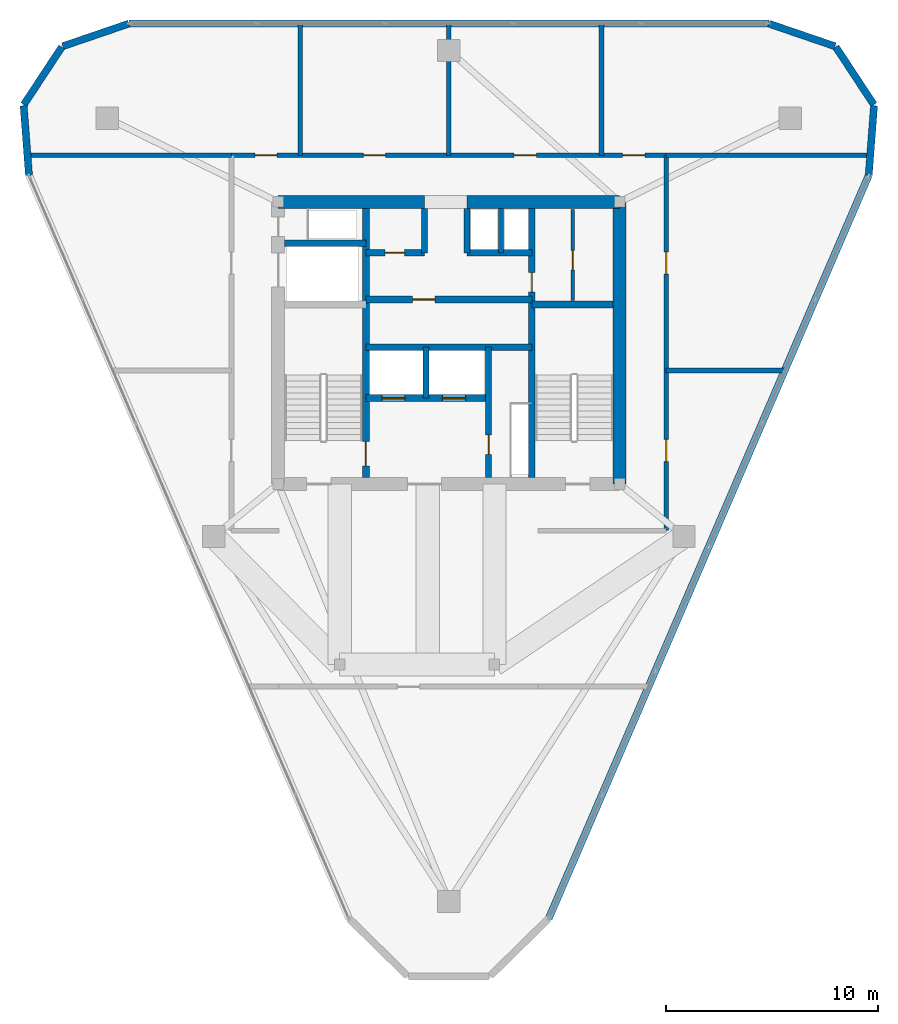
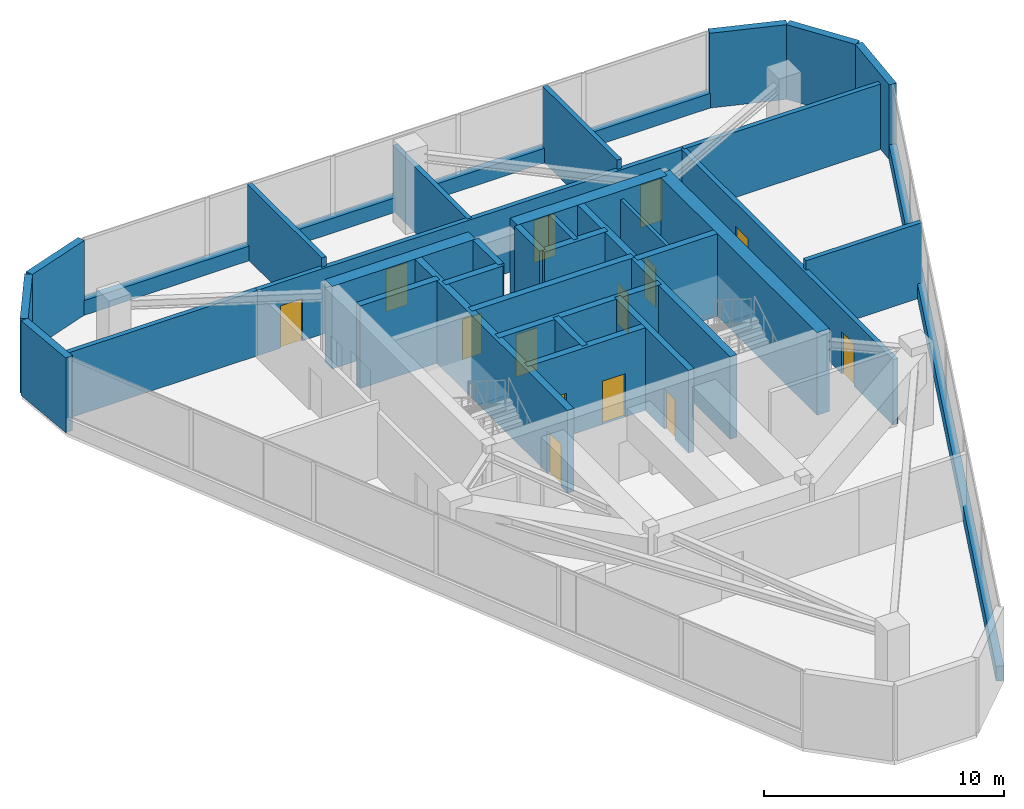
# One storey, part 5 of 7: 34 walls, 14 doors, 14 openings.
"""IFC4 building model written with IfcOpenShell, lengths in metres."""

from ifc_helpers import new_model, si_unit, direction, frame, frame_2d, origin, place, context, subcontext, project, spatial, rectangle, extrude, material, layer, layer_set, type_object, element, fill, save


model = new_model("IFC4")

# Units and contexts
model_context = context("Model", 3, precision=1e-05, world=origin(), true_north=direction((0.0, 1.0)))
body_context = subcontext(model_context, "Body", "Model", "MODEL_VIEW")
ifc_project = project(units=[si_unit("LENGTHUNIT", "METRE"), si_unit("AREAUNIT", "SQUARE_METRE"), si_unit("VOLUMEUNIT", "CUBIC_METRE"), si_unit("PLANEANGLEUNIT", "RADIAN"), si_unit("MASSUNIT", "GRAM", prefix="KILO")], contexts=[model_context])

# Site, building, storey
site_placement = place(None, origin())
site = spatial("IfcSite", under=ifc_project, at=site_placement, CompositionType="ELEMENT")
building_placement = place(site_placement, origin())
building = spatial("IfcBuilding", under=site, at=building_placement, Name="Talyreon Biosciences Tower", CompositionType="ELEMENT")
storey_placement = place(building_placement, frame((0.0, 0.0, 313.0)))
storey = spatial("IfcBuildingStorey", under=building, at=storey_placement, Name="L83", CompositionType="ELEMENT", Elevation=313.0)

# Walls
ifc_material_1 = material(Name="Concrete C50/60", Category="concrete")
ifc_layer_1 = layer(ifc_material_1, 0.219970703125)
ifc_layer_set_1 = layer_set([ifc_layer_1], Name="Concrete C50/60")
wall_type_1 = type_object("IfcWallType", Name="CoreShearWall_220", PredefinedType="SHEAR", material=ifc_layer_set_1)
wall_1_placement = place(storey_placement, frame((68.4599609375, 72.25, 0.0), z_axis=(0.0, 0.0, 1.0), x_axis=(0.0, 1.0, 0.0)))
element("IfcWall", 1, at=wall_1_placement, inside=storey, type_object=wall_type_1, Name="L83 Core Shaft Wall SWPHD", PredefinedType="SHEAR", context=body_context, shape_type="SweptSolid", body=[
    extrude(rectangle(XDim=2.10009765625, YDim=0.219970703125, at=frame_2d((1.050048828125, 0.0))), origin(), (0.0, 0.0, 1.0), 4.199951171875),
])
ifc_layer_2 = layer(ifc_material_1, 0.280029296875)
ifc_layer_set_2 = layer_set([ifc_layer_2], Name="Concrete C50/60")
wall_type_2 = type_object("IfcWallType", Name="CoreShearWall_280", PredefinedType="SHEAR", material=ifc_layer_set_2)
wall_2_placement = place(storey_placement, frame((64.919921875, 65.39990234375, 0.0), z_axis=(0.0, 0.0, 1.0), x_axis=(0.0, 1.0, 0.0)))
element("IfcWall", 2, at=wall_2_placement, inside=storey, type_object=wall_type_2, Name="L83 Core Shaft Wall SWSHD1", PredefinedType="SHEAR", context=body_context, shape_type="SweptSolid", body=[
    extrude(rectangle(XDim=2.400146484375, YDim=0.280029296875, at=frame_2d((1.2001953125, 0.0))), origin(), (0.0, 0.0, 1.0), 4.199951171875),
])
for number, where, z_axis, x_axis, name in (
    (3, (64.85009765625, 72.25, 0.0), (0.0, 0.0, 1.0), (0.0, 1.0, 0.0), "L83 Core Shaft Wall SWTHW"),
    (4, (66.85009765625, 72.25, 0.0), (0.0, 0.0, 1.0), (0.0, 1.0, 0.0), "L83 Core Shaft Wall SWTHE"),
):
    element("IfcWall", number, at=place(storey_placement, frame(where, z_axis=z_axis, x_axis=x_axis)), inside=storey, type_object=wall_type_2, Name=name, PredefinedType="SHEAR", context=body_context, shape_type="SweptSolid", body=[
        extrude(rectangle(XDim=2.10009765625, YDim=0.280029296875, at=frame_2d((1.050048828125, 0.0))), origin(), (0.0, 0.0, 1.0), 4.199951171875),
    ])

# Wall, opening, door
wall_3_placement = place(storey_placement, frame((67.8798828125, 61.64990234375, 0.0), z_axis=(0.0, 0.0, 1.0), x_axis=(0.0, 1.0, 0.0)))
wall_3 = element("IfcWall", 5, at=wall_3_placement, inside=storey, type_object=wall_type_2, Name="L83 Core Shaft Wall SWFFE", PredefinedType="SHEAR", context=body_context, shape_type="SweptSolid", body=[
    extrude(rectangle(XDim=6.150146484375, YDim=0.280029296875, at=frame_2d((3.0751953125, 0.0))), origin(), (0.0, 0.0, 1.0), 4.199951171875),
])
opening_1_placement = place(wall_3_placement, frame((1.10009765625, 0.0, 0.0)))
opening_1 = element("IfcOpeningElement", 6, at=opening_1_placement, cuts=wall_3, Name="Opening DR-L83-RSE", PredefinedType="OPENING", context=body_context, shape_type="SweptSolid", body=[
    extrude(rectangle(XDim=0.919921875, YDim=2.050048828125, at=frame_2d((0.4599609375, 1.02490234375))), frame((0.0, 0.14990234375, 0.0), z_axis=(0.0, -1.0, 0.0), x_axis=(1.0, 0.0, 0.0)), (0.0, 0.0, 1.0), 0.300048828125),
])
ifc_material_2 = material(Name="Painted steel fire-rated riser door", Category="steel")
door_type_1 = type_object("IfcDoorType", Name="RiserPlantAccessDoor_920x2050", OperationType="NOTDEFINED", PredefinedType="DOOR", material=ifc_material_2)
door_1_placement = place(opening_1_placement, origin())
door_1 = element("IfcDoor", 7, at=door_1_placement, inside=storey, type_object=door_type_1, Name="L83 Core Door DR-L83-RSE", OperationType="SINGLE_SWING_RIGHT", OverallHeight=2.050048828125, OverallWidth=0.919921875, PredefinedType="DOOR", context=body_context, shape_type="SweptSolid", body=[
    extrude(rectangle(XDim=0.919921875, YDim=2.050048828125, at=frame_2d((0.4599609375, 1.02490234375))), frame((0.0, 0.02490234375, 0.0), z_axis=(0.0, -1.0, 0.0), x_axis=(1.0, 0.0, 0.0)), (0.0, 0.0, 1.0), 0.050048828125),
])
fill(opening_1, door_1)

ifc_layer_3 = layer(ifc_material_1, 0.320068359375)
ifc_layer_set_3 = layer_set([ifc_layer_3], Name="Concrete C50/60")
wall_type_3 = type_object("IfcWallType", Name="CoreShearWall_320", PredefinedType="SHEAR", material=ifc_layer_set_3)
wall_4_placement = place(storey_placement, frame((62.090087890625, 61.64990234375, 0.0), z_axis=(0.0, 0.0, 1.0), x_axis=(0.0, 1.0, 0.0)))
wall_4 = element("IfcWall", 8, at=wall_4_placement, inside=storey, type_object=wall_type_3, Name="L83 Core Shaft Wall SW1E", PredefinedType="SHEAR", context=body_context, shape_type="SweptSolid", body=[
    extrude(rectangle(XDim=12.7001953125, YDim=0.320068359375, at=frame_2d((6.35009765625, 0.0))), origin(), (0.0, 0.0, 1.0), 4.199951171875),
])
opening_2_placement = place(wall_4_placement, frame((0.550048828125, 0.0, 0.0)))
opening_2 = element("IfcOpeningElement", 9, at=opening_2_placement, cuts=wall_4, Name="Opening DR-L83-FF-ST1", PredefinedType="OPENING", context=body_context, shape_type="SweptSolid", body=[
    extrude(rectangle(XDim=1.14990234375, YDim=2.14990234375, at=frame_2d((0.574951171875, 1.074951171875))), frame((0.0, 0.169921875, 0.0), z_axis=(0.0, -1.0, 0.0), x_axis=(1.0, 0.0, 0.0)), (0.0, 0.0, 1.0), 0.340087890625),
])
ifc_material_3 = material(Name="Painted steel fire door", Category="steel")
door_type_2 = type_object("IfcDoorType", Name="StairShaftFireDoor_1150x2150", OperationType="NOTDEFINED", PredefinedType="DOOR", material=ifc_material_3)
door_2_placement = place(opening_2_placement, origin())
door_2 = element("IfcDoor", 10, at=door_2_placement, inside=storey, type_object=door_type_2, Name="L83 Core Door DR-L83-FF-ST1", OperationType="SINGLE_SWING_LEFT", OverallHeight=2.14990234375, OverallWidth=1.14990234375, PredefinedType="DOOR", context=body_context, shape_type="SweptSolid", body=[
    extrude(rectangle(XDim=1.14990234375, YDim=2.14990234375, at=frame_2d((0.574951171875, 1.074951171875))), frame((0.0, 0.02490234375, 0.0), z_axis=(0.0, -1.0, 0.0), x_axis=(1.0, 0.0, 0.0)), (0.0, 0.0, 1.0), 0.050048828125),
])
fill(opening_2, door_2)

wall_5_placement = place(storey_placement, frame((69.909912109375, 61.64990234375, 0.0), z_axis=(0.0, 0.0, 1.0), x_axis=(0.0, 1.0, 0.0)))
wall_5 = element("IfcWall", 11, at=wall_5_placement, inside=storey, type_object=wall_type_3, Name="L83 Core Shaft Wall SW2W", PredefinedType="SHEAR", context=body_context, shape_type="SweptSolid", body=[
    extrude(rectangle(XDim=12.7001953125, YDim=0.320068359375, at=frame_2d((6.35009765625, 0.0))), origin(), (0.0, 0.0, 1.0), 4.199951171875),
])
opening_3_placement = place(wall_5_placement, frame((8.75, 0.0, 0.0)))
opening_3 = element("IfcOpeningElement", 12, at=opening_3_placement, cuts=wall_5, Name="Opening DR-L83-CSRV", PredefinedType="OPENING", context=body_context, shape_type="SweptSolid", body=[
    extrude(rectangle(XDim=0.919921875, YDim=2.050048828125, at=frame_2d((0.4599609375, 1.02490234375))), frame((0.0, 0.169921875, 0.0), z_axis=(0.0, -1.0, 0.0), x_axis=(1.0, 0.0, 0.0)), (0.0, 0.0, 1.0), 0.340087890625),
])
door_3_placement = place(opening_3_placement, origin())
door_3 = element("IfcDoor", 13, at=door_3_placement, inside=storey, type_object=door_type_1, Name="L83 Core Door DR-L83-CSRV", OperationType="SINGLE_SWING_RIGHT", OverallHeight=2.050048828125, OverallWidth=0.919921875, PredefinedType="DOOR", context=body_context, shape_type="SweptSolid", body=[
    extrude(rectangle(XDim=0.919921875, YDim=2.050048828125, at=frame_2d((0.4599609375, 1.02490234375))), frame((0.0, 0.02490234375, 0.0), z_axis=(0.0, -1.0, 0.0), x_axis=(1.0, 0.0, 0.0)), (0.0, 0.0, 1.0), 0.050048828125),
])
fill(opening_3, door_3)

# Walls
for number, where, z_axis, x_axis, name in (
    (14, (69.909912109375, 69.81005859375, 0.0), (0.0, 0.0, 1.0), (1.0, 0.0, 0.0), "L83 Core Shaft Wall SW2N"),
    (15, (58.25, 72.699951171875, 0.0), (0.0, 0.0, 1.0), (1.0, 0.0, 0.0), "L83 Core Shaft Wall SWGLN"),
):
    element("IfcWall", number, at=place(storey_placement, frame(where, z_axis=z_axis, x_axis=x_axis)), inside=storey, type_object=wall_type_3, Name=name, PredefinedType="SHEAR", context=body_context, shape_type="SweptSolid", body=[
        extrude(rectangle(XDim=3.840087890625, YDim=0.320068359375, at=frame_2d((1.919921875, 0.0))), origin(), (0.0, 0.0, 1.0), 4.199951171875),
    ])
wall_6_placement = place(storey_placement, frame((62.090087890625, 67.800048828125, 0.0), z_axis=(0.0, 0.0, 1.0), x_axis=(1.0, 0.0, 0.0)))
element("IfcWall", 16, at=wall_6_placement, inside=storey, type_object=wall_type_3, Name="L83 Core Shaft Wall SWSHM", PredefinedType="SHEAR", context=body_context, shape_type="SweptSolid", body=[
    extrude(rectangle(XDim=7.81982421875, YDim=0.320068359375, at=frame_2d((3.909912109375, 0.0))), origin(), (0.0, 0.0, 1.0), 4.199951171875),
])

# Wall, opening, door
wall_7_placement = place(storey_placement, frame((62.090087890625, 70.050048828125, 0.0), z_axis=(0.0, 0.0, 1.0), x_axis=(1.0, 0.0, 0.0)))
wall_7 = element("IfcWall", 17, at=wall_7_placement, inside=storey, type_object=wall_type_3, Name="L83 Core Shaft Wall SWSPN", PredefinedType="SHEAR", context=body_context, shape_type="SweptSolid", body=[
    extrude(rectangle(XDim=7.81982421875, YDim=0.320068359375, at=frame_2d((3.909912109375, 0.0))), origin(), (0.0, 0.0, 1.0), 4.199951171875),
])
opening_4_placement = place(wall_7_placement, frame((2.199951171875, 0.0, 0.0)))
opening_4 = element("IfcOpeningElement", 18, at=opening_4_placement, cuts=wall_7, Name="Opening DR-L83-PLPMFREE", PredefinedType="OPENING", context=body_context, shape_type="SweptSolid", body=[
    extrude(rectangle(XDim=1.050048828125, YDim=2.14990234375, at=frame_2d((0.52490234375, 1.074951171875))), frame((0.0, 0.169921875, 0.0), z_axis=(0.0, -1.0, 0.0), x_axis=(1.0, 0.0, 0.0)), (0.0, 0.0, 1.0), 0.340087890625),
])
ifc_material_4 = material(Name="Acoustic timber-core laboratory door", Category="wood")
door_type_3 = type_object("IfcDoorType", Name="DryLabSingleDoor_1050x2150", OperationType="NOTDEFINED", PredefinedType="DOOR", material=ifc_material_4)
door_4_placement = place(opening_4_placement, origin())
door_4 = element("IfcDoor", 19, at=door_4_placement, inside=storey, type_object=door_type_3, Name="L83 Core Door DR-L83-PLPMFREE", OperationType="SINGLE_SWING_LEFT", OverallHeight=2.14990234375, OverallWidth=1.050048828125, PredefinedType="DOOR", context=body_context, shape_type="SweptSolid", body=[
    extrude(rectangle(XDim=1.050048828125, YDim=2.14990234375, at=frame_2d((0.52490234375, 1.074951171875))), frame((0.0, 0.02490234375, 0.0), z_axis=(0.0, -1.0, 0.0), x_axis=(1.0, 0.0, 0.0)), (0.0, 0.0, 1.0), 0.050048828125),
])
fill(opening_4, door_4)

wall_8_placement = place(storey_placement, frame((62.090087890625, 72.25, 0.0), z_axis=(0.0, 0.0, 1.0), x_axis=(1.0, 0.0, 0.0)))
wall_8 = element("IfcWall", 20, at=wall_8_placement, inside=storey, type_object=wall_type_3, Name="L83 Core Shaft Wall SWNPW", PredefinedType="SHEAR", context=body_context, shape_type="SweptSolid", body=[
    extrude(rectangle(XDim=2.760009765625, YDim=0.320068359375, at=frame_2d((1.3798828125, 0.0))), origin(), (0.0, 0.0, 1.0), 4.199951171875),
])
opening_5_placement = place(wall_8_placement, frame((0.89990234375, 0.0, 0.0)))
opening_5 = element("IfcOpeningElement", 21, at=opening_5_placement, cuts=wall_8, Name="Opening DR-L83-PM2FREE", PredefinedType="OPENING", context=body_context, shape_type="SweptSolid", body=[
    extrude(rectangle(XDim=0.919921875, YDim=2.050048828125, at=frame_2d((0.4599609375, 1.02490234375))), frame((0.0, 0.169921875, 0.0), z_axis=(0.0, -1.0, 0.0), x_axis=(1.0, 0.0, 0.0)), (0.0, 0.0, 1.0), 0.340087890625),
])
door_5_placement = place(opening_5_placement, origin())
door_5 = element("IfcDoor", 22, at=door_5_placement, inside=storey, type_object=door_type_1, Name="L83 Core Door DR-L83-PM2FREE", OperationType="SINGLE_SWING_RIGHT", OverallHeight=2.050048828125, OverallWidth=0.919921875, PredefinedType="DOOR", context=body_context, shape_type="SweptSolid", body=[
    extrude(rectangle(XDim=0.919921875, YDim=2.050048828125, at=frame_2d((0.4599609375, 1.02490234375))), frame((0.0, 0.02490234375, 0.0), z_axis=(0.0, -1.0, 0.0), x_axis=(1.0, 0.0, 0.0)), (0.0, 0.0, 1.0), 0.050048828125),
])
fill(opening_5, door_5)

# Wall
wall_9_placement = place(storey_placement, frame((66.85009765625, 72.25, 0.0), z_axis=(0.0, 0.0, 1.0), x_axis=(1.0, 0.0, 0.0)))
element("IfcWall", 23, at=wall_9_placement, inside=storey, type_object=wall_type_3, Name="L83 Core Shaft Wall SWNPE", PredefinedType="SHEAR", context=body_context, shape_type="SweptSolid", body=[
    extrude(rectangle(XDim=3.059814453125, YDim=0.320068359375, at=frame_2d((1.52978515625, 0.0))), origin(), (0.0, 0.0, 1.0), 4.199951171875),
])

# Wall, openings, doors
wall_10_placement = place(storey_placement, frame((62.090087890625, 65.39990234375, 0.0), z_axis=(0.0, 0.0, 1.0), x_axis=(1.0, 0.0, 0.0)))
wall_10 = element("IfcWall", 24, at=wall_10_placement, inside=storey, type_object=wall_type_3, Name="L83 Core Shaft Wall SWFFN", PredefinedType="SHEAR", context=body_context, shape_type="SweptSolid", body=[
    extrude(rectangle(XDim=5.789794921875, YDim=0.320068359375, at=frame_2d((2.89501953125, 0.0))), origin(), (0.0, 0.0, 1.0), 4.199951171875),
])
opening_6_placement = place(wall_10_placement, frame((0.75, 0.0, 0.0)))
opening_6 = element("IfcOpeningElement", 25, at=opening_6_placement, cuts=wall_10, Name="Opening LD-L83-FL1", PredefinedType="OPENING", context=body_context, shape_type="SweptSolid", body=[
    extrude(rectangle(XDim=1.10009765625, YDim=2.199951171875, at=frame_2d((0.550048828125, 1.10009765625))), frame((0.0, 0.169921875, 0.0), z_axis=(0.0, -1.0, 0.0), x_axis=(1.0, 0.0, 0.0)), (0.0, 0.0, 1.0), 0.340087890625),
])
opening_7_placement = place(wall_10_placement, frame((3.60009765625, 0.0, 0.0)))
opening_7 = element("IfcOpeningElement", 26, at=opening_7_placement, cuts=wall_10, Name="Opening LD-L83-FL2", PredefinedType="OPENING", context=body_context, shape_type="SweptSolid", body=[
    extrude(rectangle(XDim=1.10009765625, YDim=2.199951171875, at=frame_2d((0.550048828125, 1.10009765625))), frame((0.0, 0.169921875, 0.0), z_axis=(0.0, -1.0, 0.0), x_axis=(1.0, 0.0, 0.0)), (0.0, 0.0, 1.0), 0.340087890625),
])
ifc_material_5 = material(Name="Brushed stainless-steel lift landing door", Category="steel")
door_type_4 = type_object("IfcDoorType", Name="LiftSlidingLandingDoor_1100x2200", OperationType="SLIDING_TO_LEFT", PredefinedType="DOOR", material=ifc_material_5)
door_6_placement = place(opening_6_placement, origin())
door_6 = element("IfcDoor", 27, at=door_6_placement, inside=storey, type_object=door_type_4, Name="L83 Core Door LD-L83-FL1", OperationType="SLIDING_TO_LEFT", OverallHeight=2.199951171875, OverallWidth=1.10009765625, PredefinedType="DOOR", context=body_context, shape_type="SweptSolid", body=[
    extrude(rectangle(XDim=1.10009765625, YDim=2.199951171875, at=frame_2d((0.550048828125, 1.10009765625))), frame((0.0, 0.02490234375, 0.0), z_axis=(0.0, -1.0, 0.0), x_axis=(1.0, 0.0, 0.0)), (0.0, 0.0, 1.0), 0.050048828125),
])
fill(opening_6, door_6)
door_7_placement = place(opening_7_placement, origin())
door_7 = element("IfcDoor", 28, at=door_7_placement, inside=storey, type_object=door_type_4, Name="L83 Core Door LD-L83-FL2", OperationType="SLIDING_TO_LEFT", OverallHeight=2.199951171875, OverallWidth=1.10009765625, PredefinedType="DOOR", context=body_context, shape_type="SweptSolid", body=[
    extrude(rectangle(XDim=1.10009765625, YDim=2.199951171875, at=frame_2d((0.550048828125, 1.10009765625))), frame((0.0, 0.02490234375, 0.0), z_axis=(0.0, -1.0, 0.0), x_axis=(1.0, 0.0, 0.0)), (0.0, 0.0, 1.0), 0.050048828125),
])
fill(opening_7, door_7)

# Walls
ifc_layer_4 = layer(ifc_material_1, 0.60009765625)
ifc_layer_set_4 = layer_set([ifc_layer_4], Name="Concrete C50/60")
wall_type_4 = type_object("IfcWallType", Name="CoreShearWall_600", PredefinedType="SHEAR", material=ifc_layer_set_4)
wall_11_placement = place(storey_placement, frame((74.050048828125, 61.35009765625, 0.0), z_axis=(0.0, 0.0, 1.0), x_axis=(0.0, 1.0, 0.0)))
element("IfcWall", 29, at=wall_11_placement, inside=storey, type_object=wall_type_4, Name="L83 Core Shear Wall E", PredefinedType="SHEAR", context=body_context, shape_type="SweptSolid", body=[
    extrude(rectangle(XDim=13.2998046875, YDim=0.60009765625, at=frame_2d((6.64990234375, 0.0))), origin(), (0.0, 0.0, 1.0), 4.199951171875),
])
wall_12_placement = place(storey_placement, frame((74.050048828125, 74.64990234375, 0.0), z_axis=(0.0, 0.0, 1.0), x_axis=(-1.0, 0.0, 0.0)))
element("IfcWall", 30, at=wall_12_placement, inside=storey, type_object=wall_type_4, Name="L83 Core Shear Wall NE", PredefinedType="SHEAR", context=body_context, shape_type="SweptSolid", body=[
    extrude(rectangle(XDim=7.199951171875, YDim=0.60009765625, at=frame_2d((3.60009765625, 0.0))), origin(), (0.0, 0.0, 1.0), 4.199951171875),
])
wall_13_placement = place(storey_placement, frame((64.85009765625, 74.64990234375, 0.0), z_axis=(0.0, 0.0, 1.0), x_axis=(-1.0, 0.0, 0.0)))
element("IfcWall", 31, at=wall_13_placement, inside=storey, type_object=wall_type_4, Name="L83 Core Shear Wall NW", PredefinedType="SHEAR", context=body_context, shape_type="SweptSolid", body=[
    extrude(rectangle(XDim=6.900146484375, YDim=0.60009765625, at=frame_2d((3.4501953125, 0.0))), origin(), (0.0, 0.0, 1.0), 4.199951171875),
])
ifc_material_6 = material(Name="Gypsum fireboard acoustic stud", Category="gypsum")
ifc_layer_5 = layer(ifc_material_6, 0.219970703125)
ifc_layer_set_5 = layer_set([ifc_layer_5], Name="Gypsum fireboard acoustic stud")
wall_type_5 = type_object("IfcWallType", Name="CorridorRatedPartition_220", PredefinedType="PARTITIONING", material=ifc_layer_set_5)
wall_14_placement = place(storey_placement, frame((59.0, 76.85009765625, 0.0), z_axis=(0.0, 0.0, 1.0), x_axis=(0.0, 1.0, 0.0)))
element("IfcWall", 32, at=wall_14_placement, inside=storey, type_object=wall_type_5, Name="L83 Interior Wall IW-L83-ND1", PredefinedType="PARTITIONING", context=body_context, shape_type="SweptSolid", body=[
    extrude(rectangle(XDim=6.203857421875, YDim=0.219970703125, at=frame_2d((3.10205078125, 0.0))), origin(), (0.0, 0.0, 1.0), 3.800048828125),
])
wall_15_placement = place(storey_placement, frame((66.0, 76.85009765625, 0.0), z_axis=(0.0, 0.0, 1.0), x_axis=(0.0, 1.0, 0.0)))
element("IfcWall", 33, at=wall_15_placement, inside=storey, type_object=wall_type_5, Name="L83 Interior Wall IW-L83-ND2", PredefinedType="PARTITIONING", context=body_context, shape_type="SweptSolid", body=[
    extrude(rectangle(XDim=6.203857421875, YDim=0.219970703125, at=frame_2d((3.10205078125, 0.0))), origin(), (0.0, 0.0, 1.0), 3.330078125),
])
wall_16_placement = place(storey_placement, frame((73.199951171875, 76.85009765625, 0.0), z_axis=(0.0, 0.0, 1.0), x_axis=(0.0, 1.0, 0.0)))
element("IfcWall", 34, at=wall_16_placement, inside=storey, type_object=wall_type_5, Name="L83 Interior Wall IW-L83-ND3", PredefinedType="PARTITIONING", context=body_context, shape_type="SweptSolid", body=[
    extrude(rectangle(XDim=6.203857421875, YDim=0.219970703125, at=frame_2d((3.10205078125, 0.0))), origin(), (0.0, 0.0, 1.0), 3.800048828125),
])
for number, where, z_axis, x_axis, name in (
    (35, (46.134521484375, 76.85009765625, 0.0), (0.0, 0.0, 1.0), (1.0, 0.0, 0.0), "L83 Interior Wall IW-L83-NDIV-NW"),
    (36, (76.25, 76.85009765625, 0.0), (0.0, 0.0, 1.0), (1.0, 0.0, 0.0), "L83 Interior Wall IW-L83-NDIV-NE"),
):
    element("IfcWall", number, at=place(storey_placement, frame(where, z_axis=z_axis, x_axis=x_axis)), inside=storey, type_object=wall_type_5, Name=name, PredefinedType="PARTITIONING", context=body_context, shape_type="SweptSolid", body=[
        extrude(rectangle(XDim=9.615478515625, YDim=0.219970703125, at=frame_2d((4.8076171875, 0.0))), origin(), (0.0, 0.0, 1.0), 3.330078125),
    ])
wall_17_placement = place(storey_placement, frame((76.25, 66.699951171875, 0.0), z_axis=(0.0, 0.0, 1.0), x_axis=(1.0, 0.0, 0.0)))
element("IfcWall", 37, at=wall_17_placement, inside=storey, type_object=wall_type_5, Name="L83 Interior Wall IW-L83-ED1", PredefinedType="PARTITIONING", context=body_context, shape_type="SweptSolid", body=[
    extrude(rectangle(XDim=5.580078125, YDim=0.219970703125, at=frame_2d((2.7900390625, 0.0))), origin(), (0.0, 0.0, 1.0), 3.800048828125),
])

# Wall, openings, doors
wall_18_placement = place(storey_placement, frame((76.25, 59.14990234375, 0.0), z_axis=(0.0, 0.0, 1.0), x_axis=(0.0, 1.0, 0.0)))
wall_18 = element("IfcWall", 38, at=wall_18_placement, inside=storey, type_object=wall_type_5, Name="L83 Interior Wall IW-L83-PC-E", PredefinedType="PARTITIONING", context=body_context, shape_type="SweptSolid", body=[
    extrude(rectangle(XDim=17.7001953125, YDim=0.219970703125, at=frame_2d((8.85009765625, 0.0))), origin(), (0.0, 0.0, 1.0), 3.330078125),
])
opening_8_placement = place(wall_18_placement, frame((3.25, 0.0, 0.0)))
opening_8 = element("IfcOpeningElement", 39, at=opening_8_placement, cuts=wall_18, Name="Opening DR-L83-PL-EB", PredefinedType="OPENING", context=body_context, shape_type="SweptSolid", body=[
    extrude(rectangle(XDim=1.050048828125, YDim=2.14990234375, at=frame_2d((0.52490234375, 1.074951171875))), frame((0.0, 0.119873046875, 0.0), z_axis=(0.0, -1.0, 0.0), x_axis=(1.0, 0.0, 0.0)), (0.0, 0.0, 1.0), 0.239990234375),
])
opening_9_placement = place(wall_18_placement, frame((12.10009765625, 0.0, 0.0)))
opening_9 = element("IfcOpeningElement", 40, at=opening_9_placement, cuts=wall_18, Name="Opening DR-L83-PL-EA", PredefinedType="OPENING", context=body_context, shape_type="SweptSolid", body=[
    extrude(rectangle(XDim=1.050048828125, YDim=2.14990234375, at=frame_2d((0.52490234375, 1.074951171875))), frame((0.0, 0.119873046875, 0.0), z_axis=(0.0, -1.0, 0.0), x_axis=(1.0, 0.0, 0.0)), (0.0, 0.0, 1.0), 0.239990234375),
])
door_8_placement = place(opening_8_placement, origin())
door_8 = element("IfcDoor", 41, at=door_8_placement, inside=storey, type_object=door_type_3, Name="L83 Interior Door DR-L83-PL-EB", OperationType="SINGLE_SWING_RIGHT", OverallHeight=2.14990234375, OverallWidth=1.050048828125, PredefinedType="DOOR", context=body_context, shape_type="SweptSolid", body=[
    extrude(rectangle(XDim=1.050048828125, YDim=2.14990234375, at=frame_2d((0.52490234375, 1.074951171875))), frame((0.0, 0.02490234375, 0.0), z_axis=(0.0, -1.0, 0.0), x_axis=(1.0, 0.0, 0.0)), (0.0, 0.0, 1.0), 0.050048828125),
])
fill(opening_8, door_8)
door_9_placement = place(opening_9_placement, origin())
door_9 = element("IfcDoor", 42, at=door_9_placement, inside=storey, type_object=door_type_3, Name="L83 Interior Door DR-L83-PL-EA", OperationType="SINGLE_SWING_LEFT", OverallHeight=2.14990234375, OverallWidth=1.050048828125, PredefinedType="DOOR", context=body_context, shape_type="SweptSolid", body=[
    extrude(rectangle(XDim=1.050048828125, YDim=2.14990234375, at=frame_2d((0.52490234375, 1.074951171875))), frame((0.0, 0.02490234375, 0.0), z_axis=(0.0, -1.0, 0.0), x_axis=(1.0, 0.0, 0.0)), (0.0, 0.0, 1.0), 0.050048828125),
])
fill(opening_9, door_9)

wall_19_placement = place(storey_placement, frame((55.75, 76.85009765625, 0.0), z_axis=(0.0, 0.0, 1.0), x_axis=(1.0, 0.0, 0.0)))
wall_19 = element("IfcWall", 43, at=wall_19_placement, inside=storey, type_object=wall_type_5, Name="L83 Interior Wall IW-L83-PC-N", PredefinedType="PARTITIONING", context=body_context, shape_type="SweptSolid", body=[
    extrude(rectangle(XDim=20.5, YDim=0.219970703125, at=frame_2d((10.25, 0.0))), origin(), (0.0, 0.0, 1.0), 3.330078125),
])
opening_10_placement = place(wall_19_placement, frame((1.10009765625, 0.0, 0.0)))
opening_10 = element("IfcOpeningElement", 44, at=opening_10_placement, cuts=wall_19, Name="Opening DR-L83-PL-NWA", PredefinedType="OPENING", context=body_context, shape_type="SweptSolid", body=[
    extrude(rectangle(XDim=1.050048828125, YDim=2.14990234375, at=frame_2d((0.52490234375, 1.074951171875))), frame((0.0, 0.119873046875, 0.0), z_axis=(0.0, -1.0, 0.0), x_axis=(1.0, 0.0, 0.0)), (0.0, 0.0, 1.0), 0.239990234375),
])
opening_11_placement = place(wall_19_placement, frame((6.22509765625, 0.0, 0.0)))
opening_11 = element("IfcOpeningElement", 45, at=opening_11_placement, cuts=wall_19, Name="Opening DR-L83-PL-NWB", PredefinedType="OPENING", context=body_context, shape_type="SweptSolid", body=[
    extrude(rectangle(XDim=1.050048828125, YDim=2.14990234375, at=frame_2d((0.52490234375, 1.074951171875))), frame((0.0, 0.119873046875, 0.0), z_axis=(0.0, -1.0, 0.0), x_axis=(1.0, 0.0, 0.0)), (0.0, 0.0, 1.0), 0.239990234375),
])
opening_12_placement = place(wall_19_placement, frame((13.324951171875, 0.0, 0.0)))
opening_12 = element("IfcOpeningElement", 46, at=opening_12_placement, cuts=wall_19, Name="Opening DR-L83-PL-NEA", PredefinedType="OPENING", context=body_context, shape_type="SweptSolid", body=[
    extrude(rectangle(XDim=1.050048828125, YDim=2.14990234375, at=frame_2d((0.52490234375, 1.074951171875))), frame((0.0, 0.119873046875, 0.0), z_axis=(0.0, -1.0, 0.0), x_axis=(1.0, 0.0, 0.0)), (0.0, 0.0, 1.0), 0.239990234375),
])
opening_13_placement = place(wall_19_placement, frame((18.449951171875, 0.0, 0.0)))
opening_13 = element("IfcOpeningElement", 47, at=opening_13_placement, cuts=wall_19, Name="Opening DR-L83-PL-NEB", PredefinedType="OPENING", context=body_context, shape_type="SweptSolid", body=[
    extrude(rectangle(XDim=1.050048828125, YDim=2.14990234375, at=frame_2d((0.52490234375, 1.074951171875))), frame((0.0, 0.119873046875, 0.0), z_axis=(0.0, -1.0, 0.0), x_axis=(1.0, 0.0, 0.0)), (0.0, 0.0, 1.0), 0.239990234375),
])
door_10_placement = place(opening_10_placement, origin())
door_10 = element("IfcDoor", 48, at=door_10_placement, inside=storey, type_object=door_type_3, Name="L83 Interior Door DR-L83-PL-NWA", OperationType="SINGLE_SWING_LEFT", OverallHeight=2.14990234375, OverallWidth=1.050048828125, PredefinedType="DOOR", context=body_context, shape_type="SweptSolid", body=[
    extrude(rectangle(XDim=1.050048828125, YDim=2.14990234375, at=frame_2d((0.52490234375, 1.074951171875))), frame((0.0, 0.02490234375, 0.0), z_axis=(0.0, -1.0, 0.0), x_axis=(1.0, 0.0, 0.0)), (0.0, 0.0, 1.0), 0.050048828125),
])
fill(opening_10, door_10)
door_11_placement = place(opening_11_placement, origin())
door_11 = element("IfcDoor", 49, at=door_11_placement, inside=storey, type_object=door_type_3, Name="L83 Interior Door DR-L83-PL-NWB", OperationType="SINGLE_SWING_LEFT", OverallHeight=2.14990234375, OverallWidth=1.050048828125, PredefinedType="DOOR", context=body_context, shape_type="SweptSolid", body=[
    extrude(rectangle(XDim=1.050048828125, YDim=2.14990234375, at=frame_2d((0.52490234375, 1.074951171875))), frame((0.0, 0.02490234375, 0.0), z_axis=(0.0, -1.0, 0.0), x_axis=(1.0, 0.0, 0.0)), (0.0, 0.0, 1.0), 0.050048828125),
])
fill(opening_11, door_11)
door_12_placement = place(opening_12_placement, origin())
door_12 = element("IfcDoor", 50, at=door_12_placement, inside=storey, type_object=door_type_3, Name="L83 Interior Door DR-L83-PL-NEA", OperationType="SINGLE_SWING_RIGHT", OverallHeight=2.14990234375, OverallWidth=1.050048828125, PredefinedType="DOOR", context=body_context, shape_type="SweptSolid", body=[
    extrude(rectangle(XDim=1.050048828125, YDim=2.14990234375, at=frame_2d((0.52490234375, 1.074951171875))), frame((0.0, 0.02490234375, 0.0), z_axis=(0.0, -1.0, 0.0), x_axis=(1.0, 0.0, 0.0)), (0.0, 0.0, 1.0), 0.050048828125),
])
fill(opening_12, door_12)
door_13_placement = place(opening_13_placement, origin())
door_13 = element("IfcDoor", 51, at=door_13_placement, inside=storey, type_object=door_type_3, Name="L83 Interior Door DR-L83-PL-NEB", OperationType="SINGLE_SWING_RIGHT", OverallHeight=2.14990234375, OverallWidth=1.050048828125, PredefinedType="DOOR", context=body_context, shape_type="SweptSolid", body=[
    extrude(rectangle(XDim=1.050048828125, YDim=2.14990234375, at=frame_2d((0.52490234375, 1.074951171875))), frame((0.0, 0.02490234375, 0.0), z_axis=(0.0, -1.0, 0.0), x_axis=(1.0, 0.0, 0.0)), (0.0, 0.0, 1.0), 0.050048828125),
])
fill(opening_13, door_13)

# Wall, opening, door
ifc_material_7 = material(Name="Gypsum acoustic stud partition", Category="gypsum")
ifc_layer_6 = layer(ifc_material_7, 0.159912109375)
ifc_layer_set_6 = layer_set([ifc_layer_6], Name="Gypsum acoustic stud partition")
wall_type_6 = type_object("IfcWallType", Name="LabSeparationPartition_160", PredefinedType="PARTITIONING", material=ifc_layer_set_6)
wall_20_placement = place(storey_placement, frame((71.85009765625, 70.0, 0.0), z_axis=(0.0, 0.0, 1.0), x_axis=(0.0, 1.0, 0.0)))
wall_20 = element("IfcWall", 52, at=wall_20_placement, inside=storey, type_object=wall_type_6, Name="L83 Interior Wall IW-L83-CSRV-V", PredefinedType="PARTITIONING", context=body_context, shape_type="SweptSolid", body=[
    extrude(rectangle(XDim=4.300048828125, YDim=0.159912109375, at=frame_2d((2.14990234375, 0.0))), origin(), (0.0, 0.0, 1.0), 3.800048828125),
])
opening_14_placement = place(wall_20_placement, frame((1.449951171875, 0.0, 0.0)))
opening_14 = element("IfcOpeningElement", 53, at=opening_14_placement, cuts=wall_20, Name="Opening DR-L83-CSRV-I", PredefinedType="OPENING", context=body_context, shape_type="SweptSolid", body=[
    extrude(rectangle(XDim=0.919921875, YDim=2.050048828125, at=frame_2d((0.4599609375, 1.02490234375))), frame((0.0, 0.08984375, 0.0), z_axis=(0.0, -1.0, 0.0), x_axis=(1.0, 0.0, 0.0)), (0.0, 0.0, 1.0), 0.179931640625),
])
door_14_placement = place(opening_14_placement, origin())
door_14 = element("IfcDoor", 54, at=door_14_placement, inside=storey, type_object=door_type_1, Name="L83 Interior Door DR-L83-CSRV-I", OperationType="SINGLE_SWING_RIGHT", OverallHeight=2.050048828125, OverallWidth=0.919921875, PredefinedType="DOOR", context=body_context, shape_type="SweptSolid", body=[
    extrude(rectangle(XDim=0.919921875, YDim=2.050048828125, at=frame_2d((0.4599609375, 1.02490234375))), frame((0.0, 0.02490234375, 0.0), z_axis=(0.0, -1.0, 0.0), x_axis=(1.0, 0.0, 0.0)), (0.0, 0.0, 1.0), 0.050048828125),
])
fill(opening_14, door_14)

# Walls
ifc_material_8 = material(Name="Precast concrete C45/55", Category="concrete")
ifc_layer_7 = layer(ifc_material_8, 0.340087890625)
ifc_layer_set_7 = layer_set([ifc_layer_7], Name="Precast concrete C45/55")
wall_type_7 = type_object("IfcWallType", Name="PrecastConcreteSpandrelWall_340", PredefinedType="STANDARD", material=ifc_layer_set_7)
wall_21_placement = place(storey_placement, frame((46.20263671875, 75.90185546875, 0.0), z_axis=(0.0, 0.0, 1.0), x_axis=(-0.076900449509, 0.997038776009, 0.0)))
element("IfcWall", 55, at=wall_21_placement, inside=storey, type_object=wall_type_7, Name="L83 Stepped Crown Concrete Wall 00", PredefinedType="STANDARD", context=body_context, shape_type="SweptSolid", body=[
    extrude(rectangle(XDim=3.29541015625, YDim=0.340087890625, at=frame_2d((1.647705078125, 0.0))), origin(), (0.0, 0.0, 1.0), 3.800048828125),
])
wall_22_placement = place(storey_placement, frame((45.96337890625, 79.2421875, 0.0), z_axis=(0.0, 0.0, 1.0), x_axis=(0.549786139258, 0.835305453759, 0.0)))
element("IfcWall", 56, at=wall_22_placement, inside=storey, type_object=wall_type_7, Name="L83 Stepped Crown Concrete Wall 01", PredefinedType="STANDARD", context=body_context, shape_type="SweptSolid", body=[
    extrude(rectangle(XDim=3.2509765625, YDim=0.340087890625, at=frame_2d((1.62548828125, 0.0))), origin(), (0.0, 0.0, 1.0), 3.800048828125),
])
wall_23_placement = place(storey_placement, frame((47.79541015625, 81.992431640625, 0.0), z_axis=(0.0, 0.0, 1.0), x_axis=(0.946187270161, 0.323619606614, 0.0)))
element("IfcWall", 57, at=wall_23_placement, inside=storey, type_object=wall_type_7, Name="L83 Stepped Crown Concrete Wall 02", PredefinedType="STANDARD", context=body_context, shape_type="SweptSolid", body=[
    extrude(rectangle(XDim=3.295166015625, YDim=0.340087890625, at=frame_2d((1.6474609375, 0.0))), origin(), (0.0, 0.0, 1.0), 3.800048828125),
])
wall_24_placement = place(storey_placement, frame((50.913330078125, 83.058837890625, 0.0), z_axis=(0.0, 0.0, 1.0), x_axis=(1.0, 0.0, 0.0)))
element("IfcWall", 58, at=wall_24_placement, inside=storey, type_object=wall_type_7, Name="L83 Stepped Crown Sill Wall 03", PredefinedType="STANDARD", context=body_context, shape_type="SweptSolid", body=[
    extrude(rectangle(XDim=30.17333984375, YDim=0.340087890625, at=frame_2d((15.086669921875, 0.0))), origin(), (0.0, 0.0, 1.0), 0.75),
])
wall_25_placement = place(storey_placement, frame((81.086669921875, 83.058837890625, 0.0), z_axis=(0.0, 0.0, 1.0), x_axis=(0.946187270161, -0.323619606614, 0.0)))
element("IfcWall", 59, at=wall_25_placement, inside=storey, type_object=wall_type_7, Name="L83 Stepped Crown Concrete Wall 04", PredefinedType="STANDARD", context=body_context, shape_type="SweptSolid", body=[
    extrude(rectangle(XDim=3.295166015625, YDim=0.340087890625, at=frame_2d((1.6474609375, 0.0))), origin(), (0.0, 0.0, 1.0), 3.800048828125),
])
wall_26_placement = place(storey_placement, frame((84.249267578125, 81.957763671875, 0.0), z_axis=(0.0, 0.0, 1.0), x_axis=(0.549786139258, -0.835305453759, 0.0)))
element("IfcWall", 60, at=wall_26_placement, inside=storey, type_object=wall_type_7, Name="L83 Stepped Crown Concrete Wall 05", PredefinedType="STANDARD", context=body_context, shape_type="SweptSolid", body=[
    extrude(rectangle(XDim=3.2509765625, YDim=0.340087890625, at=frame_2d((1.62548828125, 0.0))), origin(), (0.0, 0.0, 1.0), 3.800048828125),
])
wall_27_placement = place(storey_placement, frame((86.05078125, 79.1875, 0.0), z_axis=(0.0, 0.0, 1.0), x_axis=(-0.076900449509, -0.997038776009, 0.0)))
element("IfcWall", 61, at=wall_27_placement, inside=storey, type_object=wall_type_7, Name="L83 Stepped Crown Concrete Wall 06", PredefinedType="STANDARD", context=body_context, shape_type="SweptSolid", body=[
    extrude(rectangle(XDim=3.29541015625, YDim=0.340087890625, at=frame_2d((1.647705078125, 0.0))), origin(), (0.0, 0.0, 1.0), 3.800048828125),
])
wall_28_placement = place(storey_placement, frame((85.79736328125, 75.90185546875, 0.0), z_axis=(0.0, 0.0, 1.0), x_axis=(-0.395452427469, -0.918486460221, 0.0)))
element("IfcWall", 62, at=wall_28_placement, inside=storey, type_object=wall_type_7, Name="L83 Stepped Crown Sill Wall 07", PredefinedType="STANDARD", context=body_context, shape_type="SweptSolid", body=[
    extrude(rectangle(XDim=38.1552734375, YDim=0.340087890625, at=frame_2d((19.07763671875, 0.0))), origin(), (0.0, 0.0, 1.0), 0.75),
])

save(model, "model.ifc")
